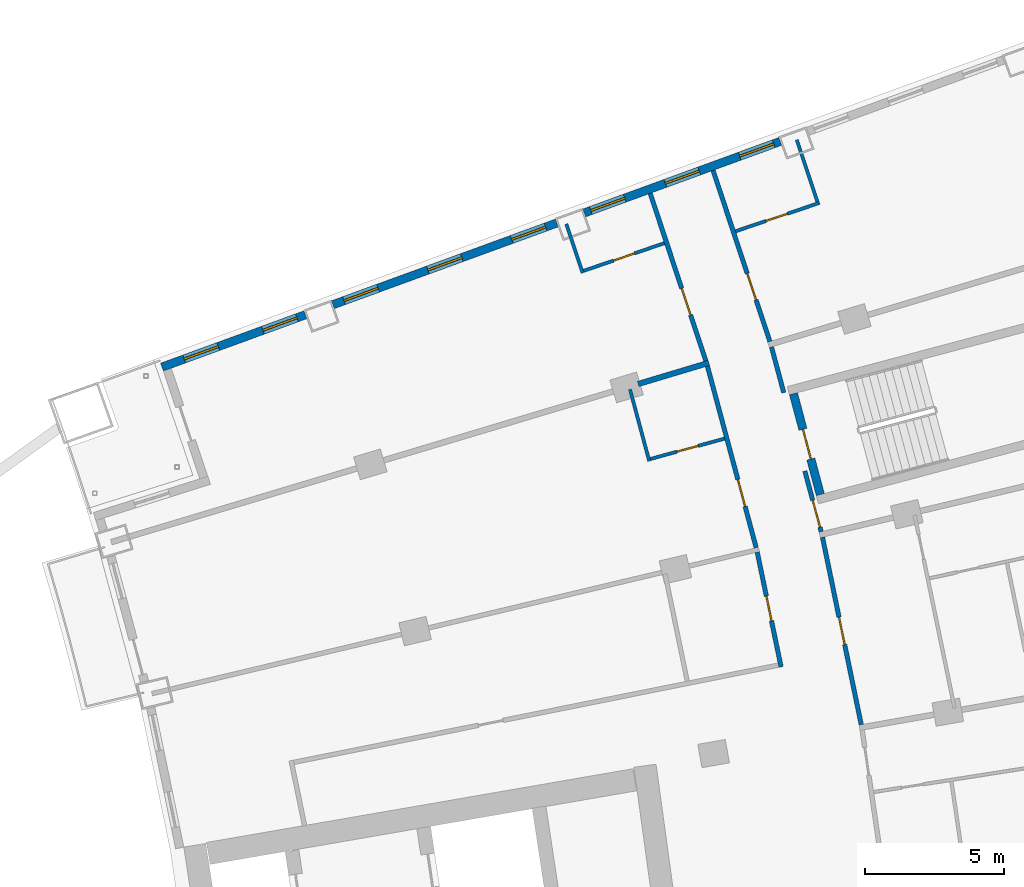
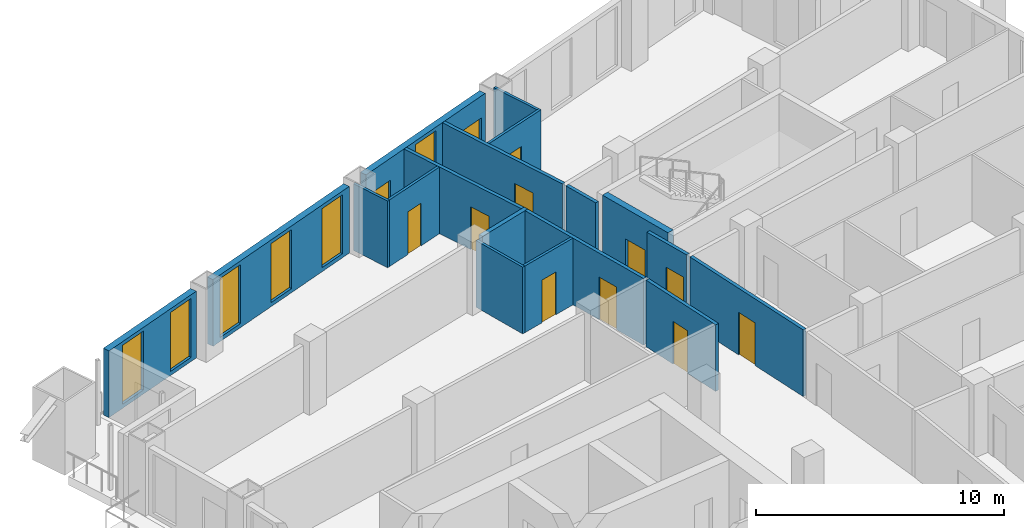
# One storey, part 19 of 24: 18 walls, 10 doors, 8 windows, 18 openings.
"""IFC4 building model written with IfcOpenShell, lengths in metres."""

from ifc_helpers import new_model, si_unit, direction, frame, frame_2d, origin, place, context, subcontext, project, spatial, rectangle, extrude, material, layer, layer_set, type_object, element, fill, save


model = new_model("IFC4")

# Units and contexts
model_context = context("Model", 3, precision=1e-05, world=origin(), true_north=direction((0.0, 1.0)))
body_context = subcontext(model_context, "Body", "Model", "MODEL_VIEW")
ifc_project = project(units=[si_unit("LENGTHUNIT", "METRE"), si_unit("AREAUNIT", "SQUARE_METRE"), si_unit("VOLUMEUNIT", "CUBIC_METRE"), si_unit("PLANEANGLEUNIT", "RADIAN"), si_unit("MASSUNIT", "GRAM", prefix="KILO")], contexts=[model_context])

# Site, building, storey
site_placement = place(None, origin())
site = spatial("IfcSite", under=ifc_project, at=site_placement, CompositionType="ELEMENT")
building_placement = place(site_placement, origin())
building = spatial("IfcBuilding", under=site, at=building_placement, Name="Alderwake Tower", CompositionType="ELEMENT")
storey_placement = place(building_placement, frame((0.0, 0.0, 96.800048828125)))
storey = spatial("IfcBuildingStorey", under=building, at=storey_placement, Name="L23", CompositionType="ELEMENT", Elevation=96.800048828125)

# Wall, opening, door
ifc_material_1 = material(Name="Concrete C70/85", Category="concrete")
ifc_layer_1 = layer(ifc_material_1, 0.300048828125)
ifc_layer_set_1 = layer_set([ifc_layer_1], Name="Core wall stair enclosure 300 C70-85")
wall_type_1 = type_object("IfcWallType", Name="Core wall stair enclosure 300 C70-85", PredefinedType="SHEAR", material=ifc_layer_set_1)
wall_1_placement = place(storey_placement, frame((37.8603515625, 90.452392578125, 0.0), z_axis=(0.0, 0.0, 1.0), x_axis=(-0.257411420208, 0.966301899381, 0.0)))
wall_1 = element("IfcWall", 1, at=wall_1_placement, inside=storey, type_object=wall_type_1, Name="Core wall CW.083", PredefinedType="SHEAR", context=body_context, shape_type="SweptSolid", body=[
    extrude(rectangle(XDim=3.750244140625, YDim=0.300048828125, at=frame_2d((1.875, 0.0))), origin(), (0.0, 0.0, 1.0), 3.599853515625),
])
opening_1_placement = place(wall_1_placement, frame((1.324951171875, 0.0, 0.0)))
opening_1 = element("IfcOpeningElement", 2, at=opening_1_placement, cuts=wall_1, Name="Opening C062", PredefinedType="OPENING", context=body_context, shape_type="SweptSolid", body=[
    extrude(rectangle(XDim=1.10009765625, YDim=2.10009765625, at=frame_2d((0.550048828125, 1.050048828125))), frame((0.0, 0.159912109375, 0.0), z_axis=(0.0, -1.0, 0.0), x_axis=(1.0, 0.0, 0.0)), (0.0, 0.0, 1.0), 0.320068359375),
])
ifc_material_2 = material(Name="Steel-framed fire door leaf", Category="steel")
door_type_1 = type_object("IfcDoorType", Name="Core stair door 1100 fire-rated", OperationType="SINGLE_SWING_LEFT", PredefinedType="DOOR", material=ifc_material_2)
door_1_placement = place(opening_1_placement, origin())
door_1 = element("IfcDoor", 3, at=door_1_placement, inside=storey, type_object=door_type_1, Name="Stair door", OperationType="SINGLE_SWING_RIGHT", OverallHeight=2.10009765625, OverallWidth=1.10009765625, PredefinedType="DOOR", context=body_context, shape_type="SweptSolid", body=[
    extrude(rectangle(XDim=1.10009765625, YDim=2.10009765625, at=frame_2d((0.550048828125, 1.050048828125))), frame((0.0, 0.02490234375, 0.0), z_axis=(0.0, -1.0, 0.0), x_axis=(1.0, 0.0, 0.0)), (0.0, 0.0, 1.0), 0.050048828125),
])
fill(opening_1, door_1)

ifc_material_3 = material(Name="Gypsum board on metal studs, rated")
ifc_layer_2 = layer(ifc_material_3, 0.159912109375)
ifc_layer_set_2 = layer_set([ifc_layer_2], Name="Corridor wall 160")
wall_type_2 = type_object("IfcWallType", Name="Corridor wall 160", PredefinedType="PARTITIONING", material=ifc_layer_set_2)
wall_2_placement = place(storey_placement, frame((33.75146484375, 95.2548828125, 0.0), z_axis=(0.0, 0.0, 1.0), x_axis=(-0.315406156735, 0.948956772616, 0.0)))
wall_2 = element("IfcWall", 4, at=wall_2_placement, inside=storey, type_object=wall_type_2, Name="WL/L23/W23", PredefinedType="PARTITIONING", context=body_context, shape_type="SweptSolid", body=[
    extrude(rectangle(XDim=6.330078125, YDim=0.159912109375, at=frame_2d((3.1650390625, 0.0))), origin(), (0.0, 0.0, 1.0), 3.280029296875),
])
opening_2_placement = place(wall_2_placement, frame((1.737060546875, 0.0, 0.0)))
opening_2 = element("IfcOpeningElement", 5, at=opening_2_placement, cuts=wall_2, Name="Opening R06-U15.1", PredefinedType="OPENING", context=body_context, shape_type="SweptSolid", body=[
    extrude(rectangle(XDim=1.0, YDim=2.10009765625, at=frame_2d((0.5, 1.050048828125))), frame((0.0, 0.08984375, 0.0), z_axis=(0.0, -1.0, 0.0), x_axis=(1.0, 0.0, 0.0)), (0.0, 0.0, 1.0), 0.179931640625),
])
ifc_material_4 = material(Name="Solid timber leaf in steel frame", Category="steel")
door_type_2 = type_object("IfcDoorType", Name="Flat entrance door 1000 fire-rated", OperationType="SINGLE_SWING_LEFT", PredefinedType="DOOR", material=ifc_material_4)
door_2_placement = place(opening_2_placement, origin())
door_2 = element("IfcDoor", 6, at=door_2_placement, inside=storey, type_object=door_type_2, Name="DR/L23/U15.1", OperationType="SINGLE_SWING_LEFT", OverallHeight=2.10009765625, OverallWidth=1.0, PredefinedType="DOOR", context=body_context, shape_type="SweptSolid", body=[
    extrude(rectangle(XDim=1.0, YDim=2.10009765625, at=frame_2d((0.5, 1.050048828125))), frame((0.0, 0.02490234375, 0.0), z_axis=(0.0, -1.0, 0.0), x_axis=(1.0, 0.0, 0.0)), (0.0, 0.0, 1.0), 0.050048828125),
])
fill(opening_2, door_2)

wall_3_placement = place(storey_placement, frame((35.55908203125, 88.54736328125, 0.0), z_axis=(0.0, 0.0, 1.0), x_axis=(-0.259373900693, 0.965776982351, 0.0)))
wall_3 = element("IfcWall", 7, at=wall_3_placement, inside=storey, type_object=wall_type_2, Name="WL/L23/W26", PredefinedType="PARTITIONING", context=body_context, shape_type="SweptSolid", body=[
    extrude(rectangle(XDim=6.7470703125, YDim=0.159912109375, at=frame_2d((3.37353515625, 0.0))), origin(), (0.0, 0.0, 1.0), 3.280029296875),
])
opening_3_placement = place(wall_3_placement, frame((1.5380859375, 0.0, 0.0)))
opening_3 = element("IfcOpeningElement", 8, at=opening_3_placement, cuts=wall_3, Name="Opening R06-U14.1", PredefinedType="OPENING", context=body_context, shape_type="SweptSolid", body=[
    extrude(rectangle(XDim=1.0, YDim=2.10009765625, at=frame_2d((0.5, 1.050048828125))), frame((0.0, 0.08984375, 0.0), z_axis=(0.0, -1.0, 0.0), x_axis=(1.0, 0.0, 0.0)), (0.0, 0.0, 1.0), 0.179931640625),
])
door_3_placement = place(opening_3_placement, origin())
door_3 = element("IfcDoor", 9, at=door_3_placement, inside=storey, type_object=door_type_2, Name="DR/L23/U14.1", OperationType="SINGLE_SWING_LEFT", OverallHeight=2.10009765625, OverallWidth=1.0, PredefinedType="DOOR", context=body_context, shape_type="SweptSolid", body=[
    extrude(rectangle(XDim=1.0, YDim=2.10009765625, at=frame_2d((0.5, 1.050048828125))), frame((0.0, 0.02490234375, 0.0), z_axis=(0.0, -1.0, 0.0), x_axis=(1.0, 0.0, 0.0)), (0.0, 0.0, 1.0), 0.050048828125),
])
fill(opening_3, door_3)

wall_4_placement = place(storey_placement, frame((36.451416015625, 84.272705078125, 0.0), z_axis=(0.0, 0.0, 1.0), x_axis=(-0.20329833965, 0.979116839348, 0.0)))
wall_4 = element("IfcWall", 10, at=wall_4_placement, inside=storey, type_object=wall_type_2, Name="WL/L23/W28", PredefinedType="PARTITIONING", context=body_context, shape_type="SweptSolid", body=[
    extrude(rectangle(XDim=4.206787109375, YDim=0.159912109375, at=frame_2d((2.103515625, 0.0))), origin(), (0.0, 0.0, 1.0), 3.280029296875),
])
opening_4_placement = place(wall_4_placement, frame((1.69287109375, 0.0, 0.0)))
opening_4 = element("IfcOpeningElement", 11, at=opening_4_placement, cuts=wall_4, Name="Opening R06-SBN2", PredefinedType="OPENING", context=body_context, shape_type="SweptSolid", body=[
    extrude(rectangle(XDim=0.89990234375, YDim=2.10009765625, at=frame_2d((0.449951171875, 1.050048828125))), frame((0.0, 0.08984375, 0.0), z_axis=(0.0, -1.0, 0.0), x_axis=(1.0, 0.0, 0.0)), (0.0, 0.0, 1.0), 0.179931640625),
])
ifc_material_5 = material(Name="Painted timber leaf", Category="wood")
door_type_3 = type_object("IfcDoorType", Name="Room door 900", OperationType="SINGLE_SWING_LEFT", PredefinedType="DOOR", material=ifc_material_5)
door_4_placement = place(opening_4_placement, origin())
door_4 = element("IfcDoor", 12, at=door_4_placement, inside=storey, type_object=door_type_3, Name="DR/L23/SBN2", OperationType="SINGLE_SWING_LEFT", OverallHeight=2.10009765625, OverallWidth=0.89990234375, PredefinedType="DOOR", context=body_context, shape_type="SweptSolid", body=[
    extrude(rectangle(XDim=0.89990234375, YDim=2.10009765625, at=frame_2d((0.449951171875, 1.050048828125))), frame((0.0, 0.02490234375, 0.0), z_axis=(0.0, -1.0, 0.0), x_axis=(1.0, 0.0, 0.0)), (0.0, 0.0, 1.0), 0.050048828125),
])
fill(opening_4, door_4)

wall_5_placement = place(storey_placement, frame((34.010986328125, 102.083984375, 0.0), z_axis=(0.0, 0.0, 1.0), x_axis=(0.315140606423, -0.949044992708, 0.0)))
wall_5 = element("IfcWall", 13, at=wall_5_placement, inside=storey, type_object=wall_type_2, Name="WL/L23/W30", PredefinedType="PARTITIONING", context=body_context, shape_type="SweptSolid", body=[
    extrude(rectangle(XDim=6.46875, YDim=0.159912109375, at=frame_2d((3.234375, 0.0))), origin(), (0.0, 0.0, 1.0), 3.280029296875),
])
opening_5_placement = place(wall_5_placement, frame((3.897705078125, 0.0, 0.0)))
opening_5 = element("IfcOpeningElement", 14, at=opening_5_placement, cuts=wall_5, Name="Opening R06-U04.1", PredefinedType="OPENING", context=body_context, shape_type="SweptSolid", body=[
    extrude(rectangle(XDim=1.0, YDim=2.10009765625, at=frame_2d((0.5, 1.050048828125))), frame((0.0, 0.08984375, 0.0), z_axis=(0.0, -1.0, 0.0), x_axis=(1.0, 0.0, 0.0)), (0.0, 0.0, 1.0), 0.179931640625),
])
door_5_placement = place(opening_5_placement, origin())
door_5 = element("IfcDoor", 15, at=door_5_placement, inside=storey, type_object=door_type_2, Name="DR/L23/U04.1", OperationType="SINGLE_SWING_LEFT", OverallHeight=2.10009765625, OverallWidth=1.0, PredefinedType="DOOR", context=body_context, shape_type="SweptSolid", body=[
    extrude(rectangle(XDim=1.0, YDim=2.10009765625, at=frame_2d((0.5, 1.050048828125))), frame((0.0, 0.02490234375, 0.0), z_axis=(0.0, -1.0, 0.0), x_axis=(1.0, 0.0, 0.0)), (0.0, 0.0, 1.0), 0.050048828125),
])
fill(opening_5, door_5)

# Wall
wall_6_placement = place(storey_placement, frame((36.549072265625, 94.110107421875, 0.0), z_axis=(0.0, 0.0, 1.0), x_axis=(-0.259813977097, 0.965658685719, 0.0)))
element("IfcWall", 16, at=wall_6_placement, inside=storey, type_object=wall_type_2, Name="WL/L23/W33", PredefinedType="PARTITIONING", context=body_context, shape_type="SweptSolid", body=[
    extrude(rectangle(XDim=1.70166015625, YDim=0.159912109375, at=frame_2d((0.850830078125, 0.0))), origin(), (0.0, 0.0, 1.0), 3.280029296875),
])

# Wall, opening, door
wall_7_placement = place(storey_placement, frame((37.304931640625, 91.299072265625, 0.0), z_axis=(0.0, 0.0, 1.0), x_axis=(0.259946294884, -0.965623075416, 0.0)))
wall_7 = element("IfcWall", 17, at=wall_7_placement, inside=storey, type_object=wall_type_2, Name="WL/L23/W36", PredefinedType="PARTITIONING", context=body_context, shape_type="SweptSolid", body=[
    extrude(rectangle(XDim=2.255126953125, YDim=0.159912109375, at=frame_2d((1.12744140625, 0.0))), origin(), (0.0, 0.0, 1.0), 3.280029296875),
])
opening_6_placement = place(wall_7_placement, frame((1.083984375, 0.0, 0.0)))
opening_6 = element("IfcOpeningElement", 18, at=opening_6_placement, cuts=wall_7, Name="Opening R06-U02.1", PredefinedType="OPENING", context=body_context, shape_type="SweptSolid", body=[
    extrude(rectangle(XDim=1.0, YDim=2.10009765625, at=frame_2d((0.5, 1.050048828125))), frame((0.0, 0.08984375, 0.0), z_axis=(0.0, -1.0, 0.0), x_axis=(1.0, 0.0, 0.0)), (0.0, 0.0, 1.0), 0.179931640625),
])
door_6_placement = place(opening_6_placement, origin())
door_6 = element("IfcDoor", 19, at=door_6_placement, inside=storey, type_object=door_type_2, Name="DR/L23/U02.1", OperationType="SINGLE_SWING_LEFT", OverallHeight=2.10009765625, OverallWidth=1.0, PredefinedType="DOOR", context=body_context, shape_type="SweptSolid", body=[
    extrude(rectangle(XDim=1.0, YDim=2.10009765625, at=frame_2d((0.5, 1.050048828125))), frame((0.0, 0.02490234375, 0.0), z_axis=(0.0, -1.0, 0.0), x_axis=(1.0, 0.0, 0.0)), (0.0, 0.0, 1.0), 0.050048828125),
])
fill(opening_6, door_6)

wall_8_placement = place(storey_placement, frame((37.937255859375, 88.927001953125, 0.0), z_axis=(0.0, 0.0, 1.0), x_axis=(0.20241288737, -0.979300272147, 0.0)))
wall_8 = element("IfcWall", 20, at=wall_8_placement, inside=storey, type_object=wall_type_2, Name="WL/L23/W38", PredefinedType="PARTITIONING", context=body_context, shape_type="SweptSolid", body=[
    extrude(rectangle(XDim=6.870361328125, YDim=0.159912109375, at=frame_2d((3.43505859375, 0.0))), origin(), (0.0, 0.0, 1.0), 3.280029296875),
])
opening_7_placement = place(wall_8_placement, frame((2.93505859375, 0.0, 0.0)))
opening_7 = element("IfcOpeningElement", 21, at=opening_7_placement, cuts=wall_8, Name="Opening R06-U11.2", PredefinedType="OPENING", context=body_context, shape_type="SweptSolid", body=[
    extrude(rectangle(XDim=1.0, YDim=2.10009765625, at=frame_2d((0.5, 1.050048828125))), frame((0.0, 0.08984375, 0.0), z_axis=(0.0, -1.0, 0.0), x_axis=(1.0, 0.0, 0.0)), (0.0, 0.0, 1.0), 0.179931640625),
])
door_7_placement = place(opening_7_placement, origin())
door_7 = element("IfcDoor", 22, at=door_7_placement, inside=storey, type_object=door_type_2, Name="DR/L23/U11.2", OperationType="SINGLE_SWING_LEFT", OverallHeight=2.10009765625, OverallWidth=1.0, PredefinedType="DOOR", context=body_context, shape_type="SweptSolid", body=[
    extrude(rectangle(XDim=1.0, YDim=2.10009765625, at=frame_2d((0.5, 1.050048828125))), frame((0.0, 0.02490234375, 0.0), z_axis=(0.0, -1.0, 0.0), x_axis=(1.0, 0.0, 0.0)), (0.0, 0.0, 1.0), 0.050048828125),
])
fill(opening_7, door_7)

# Wall, openings, windows
ifc_material_6 = material(Name="Bronze metal cladding on lightweight framing")
ifc_layer_3 = layer(ifc_material_6, 0.300048828125)
ifc_layer_set_3 = layer_set([ifc_layer_3], Name="External wall EW2 bronze metal cladding")
wall_type_3 = type_object("IfcWallType", Name="External wall EW2 bronze metal cladding", PredefinedType="SOLIDWALL", material=ifc_layer_set_3)
wall_9_placement = place(storey_placement, frame((36.4189453125, 103.123779296875, 0.0), z_axis=(0.0, 0.0, 1.0), x_axis=(-0.939370505087, -0.342903855582, 0.0)))
wall_9 = element("IfcWall", 23, at=wall_9_placement, inside=storey, type_object=wall_type_3, Name="External wall 27", PredefinedType="SOLIDWALL", context=body_context, shape_type="SweptSolid", body=[
    extrude(rectangle(XDim=7.479248046875, YDim=0.300048828125, at=frame_2d((3.73974609375, 0.0))), origin(), (0.0, 0.0, 1.0), 3.280029296875),
])
opening_8_placement = place(wall_9_placement, frame((0.2451171875, 0.0, 1.0)))
opening_8 = element("IfcOpeningElement", 24, at=opening_8_placement, cuts=wall_9, Name="Opening W2", PredefinedType="OPENING", context=body_context, shape_type="SweptSolid", body=[
    extrude(rectangle(XDim=1.300048828125, YDim=1.199951171875, at=frame_2d((0.64990234375, 0.60009765625))), frame((0.0, 0.159912109375, 0.0), z_axis=(0.0, -1.0, 0.0), x_axis=(1.0, 0.0, 0.0)), (0.0, 0.0, 1.0), 0.320068359375),
])
opening_9_placement = place(wall_9_placement, frame((3.089599609375, 0.0, 0.199951171875)))
opening_9 = element("IfcOpeningElement", 25, at=opening_9_placement, cuts=wall_9, Name="Opening W1", PredefinedType="OPENING", context=body_context, shape_type="SweptSolid", body=[
    extrude(rectangle(XDim=1.300048828125, YDim=2.89990234375, at=frame_2d((0.64990234375, 1.449951171875))), frame((0.0, 0.159912109375, 0.0), z_axis=(0.0, -1.0, 0.0), x_axis=(1.0, 0.0, 0.0)), (0.0, 0.0, 1.0), 0.320068359375),
])
opening_10_placement = place(wall_9_placement, frame((5.93408203125, 0.0, 1.0)))
opening_10 = element("IfcOpeningElement", 26, at=opening_10_placement, cuts=wall_9, Name="Opening W2", PredefinedType="OPENING", context=body_context, shape_type="SweptSolid", body=[
    extrude(rectangle(XDim=1.300048828125, YDim=1.199951171875, at=frame_2d((0.64990234375, 0.60009765625))), frame((0.0, 0.159912109375, 0.0), z_axis=(0.0, -1.0, 0.0), x_axis=(1.0, 0.0, 0.0)), (0.0, 0.0, 1.0), 0.320068359375),
])
ifc_material_7 = material(Name="Bronze tinted glass in aluminium frame", Category="aluminium")
window_type_1 = type_object("IfcWindowType", Name="Window W1 tall fixed and vent", PartitioningType="DOUBLE_PANEL_VERTICAL", PredefinedType="WINDOW", material=ifc_material_7)
window_1_placement = place(opening_9_placement, origin())
window_1 = element("IfcWindow", 27, at=window_1_placement, inside=storey, type_object=window_type_1, Name="Window W1 tall fixed and vent", OverallHeight=2.89990234375, OverallWidth=1.300048828125, PartitioningType="DOUBLE_PANEL_VERTICAL", PredefinedType="WINDOW", context=body_context, shape_type="SweptSolid", body=[
    extrude(rectangle(XDim=1.300048828125, YDim=2.89990234375, at=frame_2d((0.64990234375, 1.449951171875))), frame((0.0, 0.030029296875, 0.0), z_axis=(0.0, -1.0, 0.0), x_axis=(1.0, 0.0, 0.0)), (0.0, 0.0, 1.0), 0.06005859375),
])
fill(opening_9, window_1)
ifc_material_8 = material(Name="Bronze tinted glass in aluminium frame", Category="aluminium")
window_type_2 = type_object("IfcWindowType", Name="Window W2 kitchen and bath", PartitioningType="SINGLE_PANEL", PredefinedType="WINDOW", material=ifc_material_8)
window_2_placement = place(opening_8_placement, origin())
window_2 = element("IfcWindow", 28, at=window_2_placement, inside=storey, type_object=window_type_2, Name="Window W2 kitchen and bath", OverallHeight=1.199951171875, OverallWidth=1.300048828125, PartitioningType="SINGLE_PANEL", PredefinedType="WINDOW", context=body_context, shape_type="SweptSolid", body=[
    extrude(rectangle(XDim=1.300048828125, YDim=1.199951171875, at=frame_2d((0.64990234375, 0.60009765625))), frame((0.0, 0.030029296875, 0.0), z_axis=(0.0, -1.0, 0.0), x_axis=(1.0, 0.0, 0.0)), (0.0, 0.0, 1.0), 0.06005859375),
])
fill(opening_8, window_2)
window_3_placement = place(opening_10_placement, origin())
window_3 = element("IfcWindow", 29, at=window_3_placement, inside=storey, type_object=window_type_2, Name="Window W2 kitchen and bath", OverallHeight=1.199951171875, OverallWidth=1.300048828125, PartitioningType="SINGLE_PANEL", PredefinedType="WINDOW", context=body_context, shape_type="SweptSolid", body=[
    extrude(rectangle(XDim=1.300048828125, YDim=1.199951171875, at=frame_2d((0.64990234375, 0.60009765625))), frame((0.0, 0.030029296875, 0.0), z_axis=(0.0, -1.0, 0.0), x_axis=(1.0, 0.0, 0.0)), (0.0, 0.0, 1.0), 0.06005859375),
])
fill(opening_10, window_3)

wall_10_placement = place(storey_placement, frame((28.402587890625, 100.197509765625, 0.0), z_axis=(0.0, 0.0, 1.0), x_axis=(-0.939364770023, -0.342919566137, 0.0)))
wall_10 = element("IfcWall", 30, at=wall_10_placement, inside=storey, type_object=wall_type_3, Name="External wall 28", PredefinedType="SOLIDWALL", context=body_context, shape_type="SweptSolid", body=[
    extrude(rectangle(XDim=8.54541015625, YDim=0.300048828125, at=frame_2d((4.272705078125, 0.0))), origin(), (0.0, 0.0, 1.0), 3.280029296875),
])
opening_11_placement = place(wall_10_placement, frame((0.4228515625, 0.0, 0.199951171875)))
opening_11 = element("IfcOpeningElement", 31, at=opening_11_placement, cuts=wall_10, Name="Opening W1", PredefinedType="OPENING", context=body_context, shape_type="SweptSolid", body=[
    extrude(rectangle(XDim=1.300048828125, YDim=2.89990234375, at=frame_2d((0.64990234375, 1.449951171875))), frame((0.0, 0.159912109375, 0.0), z_axis=(0.0, -1.0, 0.0), x_axis=(1.0, 0.0, 0.0)), (0.0, 0.0, 1.0), 0.320068359375),
])
opening_12_placement = place(wall_10_placement, frame((3.622802734375, 0.0, 0.199951171875)))
opening_12 = element("IfcOpeningElement", 32, at=opening_12_placement, cuts=wall_10, Name="Opening W1", PredefinedType="OPENING", context=body_context, shape_type="SweptSolid", body=[
    extrude(rectangle(XDim=1.300048828125, YDim=2.89990234375, at=frame_2d((0.64990234375, 1.449951171875))), frame((0.0, 0.159912109375, 0.0), z_axis=(0.0, -1.0, 0.0), x_axis=(1.0, 0.0, 0.0)), (0.0, 0.0, 1.0), 0.320068359375),
])
opening_13_placement = place(wall_10_placement, frame((6.822998046875, 0.0, 0.199951171875)))
opening_13 = element("IfcOpeningElement", 33, at=opening_13_placement, cuts=wall_10, Name="Opening W1", PredefinedType="OPENING", context=body_context, shape_type="SweptSolid", body=[
    extrude(rectangle(XDim=1.300048828125, YDim=2.89990234375, at=frame_2d((0.64990234375, 1.449951171875))), frame((0.0, 0.159912109375, 0.0), z_axis=(0.0, -1.0, 0.0), x_axis=(1.0, 0.0, 0.0)), (0.0, 0.0, 1.0), 0.320068359375),
])
window_4_placement = place(opening_11_placement, origin())
window_4 = element("IfcWindow", 34, at=window_4_placement, inside=storey, type_object=window_type_1, Name="Window W1 tall fixed and vent", OverallHeight=2.89990234375, OverallWidth=1.300048828125, PartitioningType="DOUBLE_PANEL_VERTICAL", PredefinedType="WINDOW", context=body_context, shape_type="SweptSolid", body=[
    extrude(rectangle(XDim=1.300048828125, YDim=2.89990234375, at=frame_2d((0.64990234375, 1.449951171875))), frame((0.0, 0.030029296875, 0.0), z_axis=(0.0, -1.0, 0.0), x_axis=(1.0, 0.0, 0.0)), (0.0, 0.0, 1.0), 0.06005859375),
])
fill(opening_11, window_4)
window_5_placement = place(opening_12_placement, origin())
window_5 = element("IfcWindow", 35, at=window_5_placement, inside=storey, type_object=window_type_1, Name="Window W1 tall fixed and vent", OverallHeight=2.89990234375, OverallWidth=1.300048828125, PartitioningType="DOUBLE_PANEL_VERTICAL", PredefinedType="WINDOW", context=body_context, shape_type="SweptSolid", body=[
    extrude(rectangle(XDim=1.300048828125, YDim=2.89990234375, at=frame_2d((0.64990234375, 1.449951171875))), frame((0.0, 0.030029296875, 0.0), z_axis=(0.0, -1.0, 0.0), x_axis=(1.0, 0.0, 0.0)), (0.0, 0.0, 1.0), 0.06005859375),
])
fill(opening_12, window_5)
window_6_placement = place(opening_13_placement, origin())
window_6 = element("IfcWindow", 36, at=window_6_placement, inside=storey, type_object=window_type_1, Name="Window W1 tall fixed and vent", OverallHeight=2.89990234375, OverallWidth=1.300048828125, PartitioningType="DOUBLE_PANEL_VERTICAL", PredefinedType="WINDOW", context=body_context, shape_type="SweptSolid", body=[
    extrude(rectangle(XDim=1.300048828125, YDim=2.89990234375, at=frame_2d((0.64990234375, 1.449951171875))), frame((0.0, 0.030029296875, 0.0), z_axis=(0.0, -1.0, 0.0), x_axis=(1.0, 0.0, 0.0)), (0.0, 0.0, 1.0), 0.06005859375),
])
fill(opening_13, window_6)

wall_11_placement = place(storey_placement, frame((19.38427734375, 96.905517578125, 0.0), z_axis=(0.0, 0.0, 1.0), x_axis=(-0.939366897407, -0.342913738506, 0.0)))
wall_11 = element("IfcWall", 37, at=wall_11_placement, inside=storey, type_object=wall_type_3, Name="External wall 29", PredefinedType="SOLIDWALL", context=body_context, shape_type="SweptSolid", body=[
    extrude(rectangle(XDim=5.474365234375, YDim=0.300048828125, at=frame_2d((2.7373046875, 0.0))), origin(), (0.0, 0.0, 1.0), 3.280029296875),
])
opening_14_placement = place(wall_11_placement, frame((0.322998046875, 0.0, 0.199951171875)))
opening_14 = element("IfcOpeningElement", 38, at=opening_14_placement, cuts=wall_11, Name="Opening W1", PredefinedType="OPENING", context=body_context, shape_type="SweptSolid", body=[
    extrude(rectangle(XDim=1.300048828125, YDim=2.89990234375, at=frame_2d((0.64990234375, 1.449951171875))), frame((0.0, 0.159912109375, 0.0), z_axis=(0.0, -1.0, 0.0), x_axis=(1.0, 0.0, 0.0)), (0.0, 0.0, 1.0), 0.320068359375),
])
opening_15_placement = place(wall_11_placement, frame((3.32373046875, 0.0, 0.199951171875)))
opening_15 = element("IfcOpeningElement", 39, at=opening_15_placement, cuts=wall_11, Name="Opening W1", PredefinedType="OPENING", context=body_context, shape_type="SweptSolid", body=[
    extrude(rectangle(XDim=1.300048828125, YDim=2.89990234375, at=frame_2d((0.64990234375, 1.449951171875))), frame((0.0, 0.159912109375, 0.0), z_axis=(0.0, -1.0, 0.0), x_axis=(1.0, 0.0, 0.0)), (0.0, 0.0, 1.0), 0.320068359375),
])
window_7_placement = place(opening_14_placement, origin())
window_7 = element("IfcWindow", 40, at=window_7_placement, inside=storey, type_object=window_type_1, Name="Window W1 tall fixed and vent", OverallHeight=2.89990234375, OverallWidth=1.300048828125, PartitioningType="DOUBLE_PANEL_VERTICAL", PredefinedType="WINDOW", context=body_context, shape_type="SweptSolid", body=[
    extrude(rectangle(XDim=1.300048828125, YDim=2.89990234375, at=frame_2d((0.64990234375, 1.449951171875))), frame((0.0, 0.030029296875, 0.0), z_axis=(0.0, -1.0, 0.0), x_axis=(1.0, 0.0, 0.0)), (0.0, 0.0, 1.0), 0.06005859375),
])
fill(opening_14, window_7)
window_8_placement = place(opening_15_placement, origin())
window_8 = element("IfcWindow", 41, at=window_8_placement, inside=storey, type_object=window_type_1, Name="Window W1 tall fixed and vent", OverallHeight=2.89990234375, OverallWidth=1.300048828125, PartitioningType="DOUBLE_PANEL_VERTICAL", PredefinedType="WINDOW", context=body_context, shape_type="SweptSolid", body=[
    extrude(rectangle(XDim=1.300048828125, YDim=2.89990234375, at=frame_2d((0.64990234375, 1.449951171875))), frame((0.0, 0.030029296875, 0.0), z_axis=(0.0, -1.0, 0.0), x_axis=(1.0, 0.0, 0.0)), (0.0, 0.0, 1.0), 0.06005859375),
])
fill(opening_15, window_8)

# Walls
ifc_material_9 = material(Name="Dense block masonry wall", Category="masonry")
ifc_layer_4 = layer(ifc_material_9, 0.199951171875)
ifc_layer_set_4 = layer_set([ifc_layer_4], Name="Party wall 200")
wall_type_4 = type_object("IfcWallType", Name="Party wall 200", PredefinedType="SOLIDWALL", material=ifc_layer_set_4)
wall_12_placement = place(storey_placement, frame((33.859619140625, 95.18310546875, 0.0), z_axis=(0.0, 0.0, 1.0), x_axis=(-0.957762803886, -0.287559405153, 0.0)))
element("IfcWall", 42, at=wall_12_placement, inside=storey, type_object=wall_type_4, Name="WL/L23/W04", PredefinedType="SOLIDWALL", context=body_context, shape_type="SweptSolid", body=[
    extrude(rectangle(XDim=2.647216796875, YDim=0.199951171875, at=frame_2d((1.32373046875, 0.0))), origin(), (0.0, 0.0, 1.0), 3.280029296875),
])
ifc_material_10 = material(Name="Moisture resistant gypsum board on metal studs")
ifc_layer_5 = layer(ifc_material_10, 0.1201171875)
ifc_layer_set_5 = layer_set([ifc_layer_5], Name="Wet room partition 120")
wall_type_5 = type_object("IfcWallType", Name="Wet room partition 120", PredefinedType="PARTITIONING", material=ifc_layer_set_5)
wall_13_placement = place(storey_placement, frame((28.7490234375, 100.1640625, 0.0), z_axis=(0.0, 0.0, 1.0), x_axis=(0.314645530733, -0.949209244577, 0.0)))
element("IfcWall", 43, at=wall_13_placement, inside=storey, type_object=wall_type_5, Name="WL/L23/W46", PredefinedType="PARTITIONING", context=body_context, shape_type="SweptSolid", body=[
    extrude(rectangle(XDim=1.85205078125, YDim=0.1201171875, at=frame_2d((0.926025390625, 0.0))), origin(), (0.0, 0.0, 1.0), 3.280029296875),
])

# Wall, opening, door
wall_14_placement = place(storey_placement, frame((29.369873046875, 98.482421875, 0.0), z_axis=(0.0, 0.0, 1.0), x_axis=(0.945919367523, 0.324401834375, 0.0)))
wall_14 = element("IfcWall", 44, at=wall_14_placement, inside=storey, type_object=wall_type_5, Name="WL/L23/W47", PredefinedType="PARTITIONING", context=body_context, shape_type="SweptSolid", body=[
    extrude(rectangle(XDim=3.06005859375, YDim=0.1201171875, at=frame_2d((1.530029296875, 0.0))), origin(), (0.0, 0.0, 1.0), 3.280029296875),
])
opening_16_placement = place(wall_14_placement, frame((1.1298828125, 0.0, 0.0)))
opening_16 = element("IfcOpeningElement", 45, at=opening_16_placement, cuts=wall_14, Name="Opening R06-U15.2", PredefinedType="OPENING", context=body_context, shape_type="SweptSolid", body=[
    extrude(rectangle(XDim=0.800048828125, YDim=2.10009765625, at=frame_2d((0.39990234375, 1.050048828125))), frame((0.0, 0.070068359375, 0.0), z_axis=(0.0, -1.0, 0.0), x_axis=(1.0, 0.0, 0.0)), (0.0, 0.0, 1.0), 0.14013671875),
])
ifc_material_11 = material(Name="Painted timber leaf", Category="wood")
door_type_4 = type_object("IfcDoorType", Name="Bathroom door 800", OperationType="SINGLE_SWING_LEFT", PredefinedType="DOOR", material=ifc_material_11)
door_8_placement = place(opening_16_placement, origin())
door_8 = element("IfcDoor", 46, at=door_8_placement, inside=storey, type_object=door_type_4, Name="DR/L23/U15.2", OperationType="SINGLE_SWING_LEFT", OverallHeight=2.10009765625, OverallWidth=0.800048828125, PredefinedType="DOOR", context=body_context, shape_type="SweptSolid", body=[
    extrude(rectangle(XDim=0.800048828125, YDim=2.10009765625, at=frame_2d((0.39990234375, 1.050048828125))), frame((0.0, 0.02490234375, 0.0), z_axis=(0.0, -1.0, 0.0), x_axis=(1.0, 0.0, 0.0)), (0.0, 0.0, 1.0), 0.050048828125),
])
fill(opening_16, door_8)

# Wall
wall_15_placement = place(storey_placement, frame((31.031005859375, 94.2294921875, 0.0), z_axis=(0.0, 0.0, 1.0), x_axis=(0.259756447242, -0.965674162498, 0.0)))
element("IfcWall", 47, at=wall_15_placement, inside=storey, type_object=wall_type_5, Name="WL/L23/W49", PredefinedType="PARTITIONING", context=body_context, shape_type="SweptSolid", body=[
    extrude(rectangle(XDim=2.66259765625, YDim=0.1201171875, at=frame_2d((1.331298828125, 0.0))), origin(), (0.0, 0.0, 1.0), 3.280029296875),
])

# Wall, opening, door
wall_16_placement = place(storey_placement, frame((31.764892578125, 91.73193359375, 0.0), z_axis=(0.0, 0.0, 1.0), x_axis=(0.964278304966, 0.264891205163, 0.0)))
wall_16 = element("IfcWall", 48, at=wall_16_placement, inside=storey, type_object=wall_type_5, Name="WL/L23/W50", PredefinedType="PARTITIONING", context=body_context, shape_type="SweptSolid", body=[
    extrude(rectangle(XDim=2.759521484375, YDim=0.1201171875, at=frame_2d((1.3798828125, 0.0))), origin(), (0.0, 0.0, 1.0), 3.280029296875),
])
opening_17_placement = place(wall_16_placement, frame((0.979736328125, 0.0, 0.0)))
opening_17 = element("IfcOpeningElement", 49, at=opening_17_placement, cuts=wall_16, Name="Opening R06-U14.2", PredefinedType="OPENING", context=body_context, shape_type="SweptSolid", body=[
    extrude(rectangle(XDim=0.800048828125, YDim=2.10009765625, at=frame_2d((0.39990234375, 1.050048828125))), frame((0.0, 0.070068359375, 0.0), z_axis=(0.0, -1.0, 0.0), x_axis=(1.0, 0.0, 0.0)), (0.0, 0.0, 1.0), 0.14013671875),
])
door_9_placement = place(opening_17_placement, origin())
door_9 = element("IfcDoor", 50, at=door_9_placement, inside=storey, type_object=door_type_4, Name="DR/L23/U14.2", OperationType="SINGLE_SWING_LEFT", OverallHeight=2.10009765625, OverallWidth=0.800048828125, PredefinedType="DOOR", context=body_context, shape_type="SweptSolid", body=[
    extrude(rectangle(XDim=0.800048828125, YDim=2.10009765625, at=frame_2d((0.39990234375, 1.050048828125))), frame((0.0, 0.02490234375, 0.0), z_axis=(0.0, -1.0, 0.0), x_axis=(1.0, 0.0, 0.0)), (0.0, 0.0, 1.0), 0.050048828125),
])
fill(opening_17, door_9)

wall_17_placement = place(storey_placement, frame((34.81884765625, 99.901611328125, 0.0), z_axis=(0.0, 0.0, 1.0), x_axis=(0.947175058373, 0.320717022928, 0.0)))
wall_17 = element("IfcWall", 51, at=wall_17_placement, inside=storey, type_object=wall_type_5, Name="WL/L23/W53", PredefinedType="PARTITIONING", context=body_context, shape_type="SweptSolid", body=[
    extrude(rectangle(XDim=3.178955078125, YDim=0.1201171875, at=frame_2d((1.58935546875, 0.0))), origin(), (0.0, 0.0, 1.0), 3.280029296875),
])
opening_18_placement = place(wall_17_placement, frame((1.15966796875, 0.0, 0.0)))
opening_18 = element("IfcOpeningElement", 52, at=opening_18_placement, cuts=wall_17, Name="Opening R06-U04.2", PredefinedType="OPENING", context=body_context, shape_type="SweptSolid", body=[
    extrude(rectangle(XDim=0.800048828125, YDim=2.10009765625, at=frame_2d((0.39990234375, 1.050048828125))), frame((0.0, 0.070068359375, 0.0), z_axis=(0.0, -1.0, 0.0), x_axis=(1.0, 0.0, 0.0)), (0.0, 0.0, 1.0), 0.14013671875),
])
door_10_placement = place(opening_18_placement, origin())
door_10 = element("IfcDoor", 53, at=door_10_placement, inside=storey, type_object=door_type_4, Name="DR/L23/U04.2", OperationType="SINGLE_SWING_LEFT", OverallHeight=2.10009765625, OverallWidth=0.800048828125, PredefinedType="DOOR", context=body_context, shape_type="SweptSolid", body=[
    extrude(rectangle(XDim=0.800048828125, YDim=2.10009765625, at=frame_2d((0.39990234375, 1.050048828125))), frame((0.0, 0.02490234375, 0.0), z_axis=(0.0, -1.0, 0.0), x_axis=(1.0, 0.0, 0.0)), (0.0, 0.0, 1.0), 0.050048828125),
])
fill(opening_18, door_10)

# Wall
wall_18_placement = place(storey_placement, frame((37.754150390625, 100.958984375, 0.0), z_axis=(0.0, 0.0, 1.0), x_axis=(-0.314726191852, 0.949182503085, 0.0)))
element("IfcWall", 54, at=wall_18_placement, inside=storey, type_object=wall_type_5, Name="WL/L23/W56", PredefinedType="PARTITIONING", context=body_context, shape_type="SweptSolid", body=[
    extrude(rectangle(XDim=2.341796875, YDim=0.1201171875, at=frame_2d((1.1708984375, 0.0))), origin(), (0.0, 0.0, 1.0), 3.280029296875),
])

save(model, "model.ifc")
